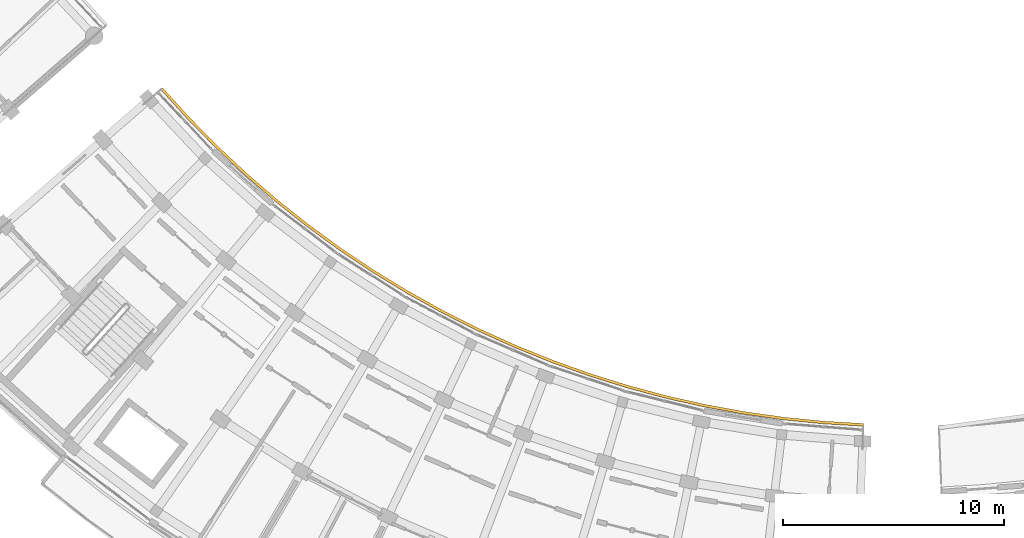
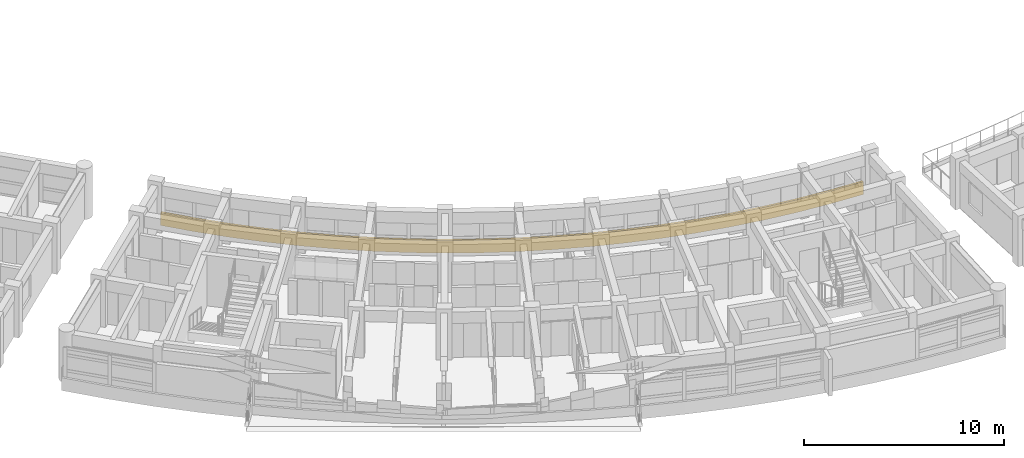
# One storey, part 48 of 54: 1 railing.
"""IFC4 building model written with IfcOpenShell, lengths in metres."""

import ifcopenshell
import ifcopenshell.guid

model = None  # the IFC model being written
_history = None  # IfcOwnerHistory: only IFC2X3 demands one
_inside = {}  # id of a spatial element -> (the spatial element, [elements in it])
_under = {}  # id of a project, library or spatial element -> (it, [spatial elements below it])
_declared = {}  # id of a project -> (the project, [libraries it declares])
_typed = {}  # id of a type object -> (the type object, [elements of that type])
_made_of = {}  # id of a material, layer set ... -> (it, [elements and type objects made of it])


def new_model(schema):
    """Start an empty IFC model of exactly this schema.

    Asked for "IFC4X3", IfcOpenShell would pick the latest addendum, in which some entities
    have other attributes; the version numbers below select the first issue.
    IFC2X3 requires an IfcOwnerHistory on every rooted entity: one is made here for all.
    """
    global model, _history
    if schema == "IFC4X3":
        model = ifcopenshell.file(schema_version=(4, 3, 0, 0))
    else:
        model = ifcopenshell.file(schema=schema)
    _inside.clear()
    _under.clear()
    _declared.clear()
    _typed.clear()
    _made_of.clear()
    _history = None
    if model.schema == "IFC2X3":
        org = make("IfcOrganization", Name="unknown")
        user = make(
            "IfcPersonAndOrganization",
            ThePerson=make("IfcPerson", FamilyName="unknown"),
            TheOrganization=org,
        )
        app = make(
            "IfcApplication",
            ApplicationDeveloper=org,
            Version="unknown",
            ApplicationFullName="unknown",
            ApplicationIdentifier="unknown",
        )
        _history = make(
            "IfcOwnerHistory",
            OwningUser=user,
            OwningApplication=app,
            ChangeAction="ADDED",
            CreationDate=0,
        )
    return model


def make(cls, **values):
    """One entity of the class cls with the attributes given. An attribute that is None is left unset."""
    return model.create_entity(
        cls, **{name: value for name, value in values.items() if value is not None}
    )


def rooted(cls, **values):
    """An entity with a GlobalId (a new one), such as an element, a storey or a relation."""
    return make(cls, GlobalId=ifcopenshell.guid.new(), OwnerHistory=_history, **values)


def si_unit(unit_type, name, prefix=None):
    """IfcSIUnit, for example si_unit("LENGTHUNIT", "METRE", prefix="MILLI")."""
    return make("IfcSIUnit", UnitType=unit_type, Prefix=prefix, Name=name)


def assignment(units):
    """IfcUnitAssignment: the units of a project."""
    return None if units is None else make("IfcUnitAssignment", Units=units)


def point(xyz):
    """IfcCartesianPoint."""
    return None if xyz is None else make("IfcCartesianPoint", Coordinates=xyz)


def direction(xyz):
    """IfcDirection."""
    return None if xyz is None else make("IfcDirection", DirectionRatios=xyz)


def frame(location, z_axis=None, x_axis=None):
    """IfcAxis2Placement3D, a coordinate frame: its origin and axes. An axis left out is left unset."""
    return make(
        "IfcAxis2Placement3D",
        Location=point(location),
        Axis=direction(z_axis),
        RefDirection=direction(x_axis),
    )


def origin():
    """The frame at (0, 0, 0) with its axes left unset."""
    return frame((0.0, 0.0, 0.0))


def place(relative_to, where):
    """IfcLocalPlacement: puts the frame where relative to a parent placement (None: the world)."""
    return make(
        "IfcLocalPlacement", PlacementRelTo=relative_to, RelativePlacement=where
    )


def context(
    kind, dimensions, precision=None, world=None, true_north=None, identifier=None
):
    """IfcGeometricRepresentationContext, for example the 3D "Model" context."""
    return make(
        "IfcGeometricRepresentationContext",
        ContextIdentifier=identifier,
        ContextType=kind,
        CoordinateSpaceDimension=dimensions,
        Precision=precision,
        WorldCoordinateSystem=world,
        TrueNorth=true_north,
    )


def subcontext(parent, identifier, kind, view, scale=None):
    """IfcGeometricRepresentationSubContext, for example "Body" below "Model"."""
    return make(
        "IfcGeometricRepresentationSubContext",
        ContextIdentifier=identifier,
        ContextType=kind,
        ParentContext=parent,
        TargetScale=scale,
        TargetView=view,
    )


def project(units=None, contexts=None):
    """IfcProject with its units and contexts."""
    return rooted(
        "IfcProject",
        Name="project",
        RepresentationContexts=contexts,
        UnitsInContext=assignment(units),
    )


def spatial(cls, under=None, at=None, **own):
    """A site, building, storey or space (cls), placed at a placement, below another one or the project."""
    s = rooted(cls, ObjectPlacement=at, **own)
    if under is not None:
        _under.setdefault(under.id(), (under, []))[1].append(s)
    return s


def polyline(points):
    """IfcPolyline through the points."""
    return make("IfcPolyline", Points=[point(p) for p in points])


def outline(outer, holes=None, kind="AREA"):
    """IfcArbitraryClosedProfileDef: a profile drawn as a closed curve; with holes, ...WithVoids."""
    if holes is None:
        return make("IfcArbitraryClosedProfileDef", ProfileType=kind, OuterCurve=outer)
    return make(
        "IfcArbitraryProfileDefWithVoids",
        ProfileType=kind,
        OuterCurve=outer,
        InnerCurves=holes,
    )


def extrude(swept, where, along, depth):
    """IfcExtrudedAreaSolid: the profile swept, set in the frame where, extruded along a direction by depth."""
    return make(
        "IfcExtrudedAreaSolid",
        SweptArea=swept,
        Position=where,
        ExtrudedDirection=direction(along),
        Depth=depth,
    )


def shape(context_of_items, identifier, shape_type, items):
    """IfcShapeRepresentation: the items that make up one representation, for example the "Body"."""
    return make(
        "IfcShapeRepresentation",
        ContextOfItems=context_of_items,
        RepresentationIdentifier=identifier,
        RepresentationType=shape_type,
        Items=items,
    )


def material(Name=None, Category=None):
    """IfcMaterial."""
    return make("IfcMaterial", Name=Name, Category=Category)


def made_of(thing, what):
    """Note that an element or type object is made of a material, layer set ...; save() writes the relation."""
    if what is not None:
        _made_of.setdefault(what.id(), (what, []))[1].append(thing)
    return thing


def type_object(cls, material=None, **own):
    """A type object (cls), such as IfcWallType, which elements share."""
    return made_of(rooted(cls, **own), material)


def element(
    cls,
    number,
    at=None,
    inside=None,
    cuts=None,
    type_object=None,
    material=None,
    context=None,
    identifier="Body",
    shape_type=None,
    held_by="IfcProductDefinitionShape",
    body=None,
    shapes=None,
    **own,
):
    """One element of the class cls, such as IfcWall. Its Tag is "e" and its number.

    at: its placement. inside: the storey or other place that contains it. cuts: it is an
    opening in that element (IfcRelVoidsElement). A single representation is given by context,
    identifier, shape_type and body (its items); several are given by shapes. held_by: the class
    of the entity that holds the representations. save() writes the other relations.
    """
    e = rooted(cls, Tag="e%d" % number, ObjectPlacement=at, **own)
    if body is not None:
        shapes = [shape(context, identifier, shape_type, body)]
    if shapes is not None:
        e.Representation = make(held_by, Representations=shapes)
    if inside is not None:
        _inside.setdefault(inside.id(), (inside, []))[1].append(e)
    if cuts is not None:
        rooted(
            "IfcRelVoidsElement", RelatingBuildingElement=cuts, RelatedOpeningElement=e
        )
    if type_object is not None:
        _typed.setdefault(type_object.id(), (type_object, []))[1].append(e)
    return made_of(e, material)


def aggregate(whole, parts):
    """IfcRelAggregates: a whole, such as a stair, and the parts it consists of."""
    return rooted("IfcRelAggregates", RelatingObject=whole, RelatedObjects=parts)


def save(model, path):
    """Write the relations noted so far, then the file.

    IfcRelAggregates (storeys below a building ...), IfcRelContainedInSpatialStructure (elements
    in a storey), IfcRelDefinesByType, IfcRelAssociatesMaterial and IfcRelDeclares: one each for
    every whole, place, type object, material and project.
    """
    for whole, parts in _under.values():
        aggregate(whole, parts)
    for where, things in _inside.values():
        rooted(
            "IfcRelContainedInSpatialStructure",
            RelatedElements=things,
            RelatingStructure=where,
        )
    for kind, things in _typed.values():
        rooted("IfcRelDefinesByType", RelatedObjects=things, RelatingType=kind)
    for what, things in _made_of.values():
        rooted("IfcRelAssociatesMaterial", RelatedObjects=things, RelatingMaterial=what)
    for by, libraries in _declared.values():
        rooted("IfcRelDeclares", RelatingContext=by, RelatedDefinitions=libraries)
    model.write(path)


model = new_model("IFC4")

# Units and contexts
model_context = context("Model", 3, precision=1e-05, world=origin(), true_north=direction((0.0, 1.0)))
body_context = subcontext(model_context, "Body", "Model", "MODEL_VIEW")
ifc_project = project(units=[si_unit("LENGTHUNIT", "METRE"), si_unit("AREAUNIT", "SQUARE_METRE"), si_unit("VOLUMEUNIT", "CUBIC_METRE"), si_unit("PLANEANGLEUNIT", "RADIAN"), si_unit("MASSUNIT", "GRAM", prefix="KILO")], contexts=[model_context])

# Site, building, storey
site_placement = place(None, origin())
site = spatial("IfcSite", under=ifc_project, at=site_placement, CompositionType="ELEMENT")
building_placement = place(site_placement, origin())
building = spatial("IfcBuilding", under=site, at=building_placement, Name="Zimvara Arc Housing Community", CompositionType="ELEMENT")
storey_placement = place(building_placement, frame((0.0, 0.0, 20.5)))
storey = spatial("IfcBuildingStorey", under=building, at=storey_placement, Name="L06", CompositionType="ELEMENT", Elevation=20.5)

# Railing
ifc_material = material(Name="Pale-Gold Anodised Aluminium AW-6063", Category="aluminium")
railing_type = type_object("IfcRailingType", Name="RLG-FAS-780", PredefinedType="BALUSTRADE", material=ifc_material)
railing_placement = place(storey_placement, frame((0.0, 0.0, -0.219970703125)))
element("IfcRailing", 1, at=railing_placement, inside=storey, type_object=railing_type, Name="rlg:blkC:L06:gold_in", PredefinedType="BALUSTRADE", context=body_context, shape_type="SweptSolid", body=[
    extrude(outline(polyline([(92.440673828125, 80.704833984375), (93.6591796875, 79.359619140625), (94.931396484375, 78.0654296875), (96.25537109375, 76.82421875), (97.62890625, 75.63818359375), (99.0498046875, 74.50927734375), (100.515625, 73.439208984375), (102.02392578125, 72.4296875), (103.572265625, 71.48291015625), (105.15771484375, 70.60009765625), (106.778076171875, 69.782470703125), (108.430419921875, 69.031982421875), (110.112060546875, 68.349609375), (111.820068359375, 67.736328125), (113.5517578125, 67.193115234375), (115.30419921875, 66.721435546875), (117.074462890625, 66.321533203125), (118.859619140625, 65.994140625), (120.656494140625, 65.739990234375), (122.46240234375, 65.559326171875), (124.27392578125, 65.45263671875), (124.278564453125, 65.57275390625), (122.471923828125, 65.678955078125), (120.6708984375, 65.859130859375), (118.87890625, 66.112548828125), (117.0986328125, 66.43896484375), (115.3330078125, 66.837890625), (113.58544921875, 67.308349609375), (111.8583984375, 67.849853515625), (110.155029296875, 68.461669921875), (108.477783203125, 69.142333984375), (106.830078125, 69.890869140625), (105.214111328125, 70.7060546875), (103.6328125, 71.58642578125), (102.088623046875, 72.53076171875), (100.58447265625, 73.537353515625), (99.12255859375, 74.604736328125), (97.70556640625, 75.73046875), (96.335693359375, 76.91357421875), (95.01513671875, 78.1513671875), (93.746337890625, 79.442138671875), (92.53125, 80.783447265625), (92.440673828125, 80.704833984375)])), origin(), (0.0, 0.0, 1.0), 0.780029296875),
])

save(model, "model.ifc")
